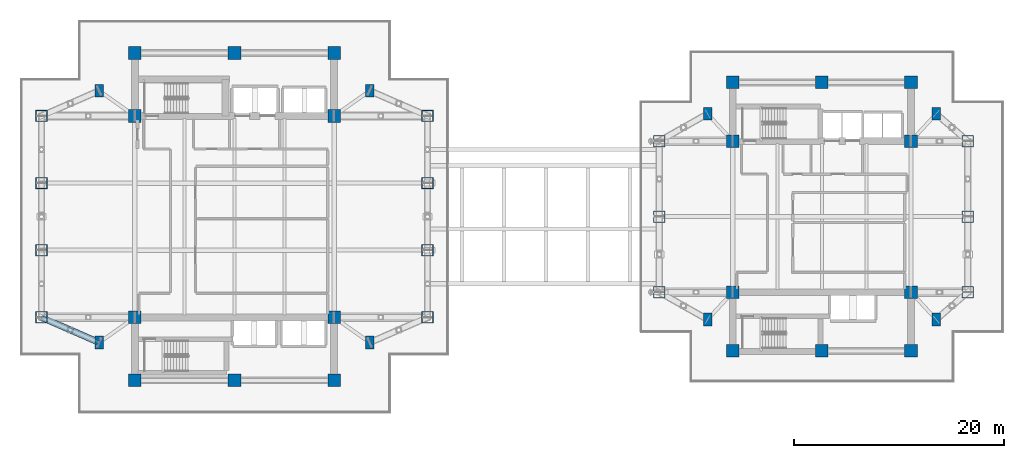
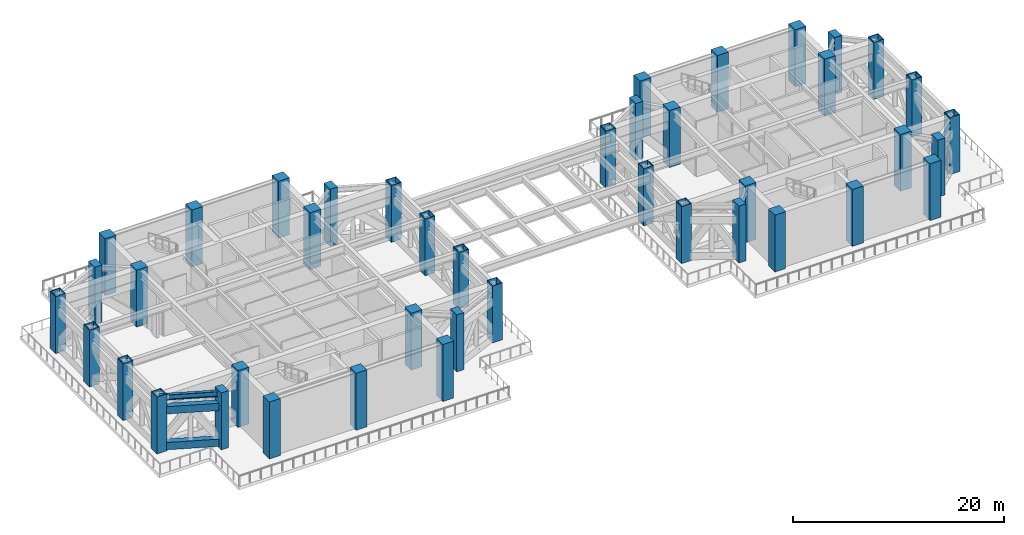
# One storey, part 1 of 21: 42 columns, 2 members, 1 beam.
"""IFC4 building model written with IfcOpenShell, lengths in metres."""

from ifc_helpers import new_model, si_unit, direction, frame, origin, origin_2d, place, context, subcontext, project, spatial, rectangle, hollow_rectangle, i_section, extrude, material, material_profile, profile_set, type_object, element, save


model = new_model("IFC4")

# Units and contexts
model_context = context("Model", 3, precision=1e-05, world=origin(), true_north=direction((0.0, 1.0)))
body_context = subcontext(model_context, "Body", "Model", "MODEL_VIEW")
ifc_project = project(units=[si_unit("LENGTHUNIT", "METRE"), si_unit("AREAUNIT", "SQUARE_METRE"), si_unit("VOLUMEUNIT", "CUBIC_METRE"), si_unit("PLANEANGLEUNIT", "RADIAN"), si_unit("MASSUNIT", "GRAM", prefix="KILO")], contexts=[model_context])

# Site, building, storey
site_placement = place(None, origin())
site = spatial("IfcSite", under=ifc_project, at=site_placement, CompositionType="ELEMENT")
building_placement = place(site_placement, origin())
building = spatial("IfcBuilding", under=site, at=building_placement, Name="Mirazonda Arch Towers", CompositionType="ELEMENT")
storey_placement = place(building_placement, frame((0.0, 0.0, 81.800048828125)))
storey = spatial("IfcBuildingStorey", under=building, at=storey_placement, Name="L23", CompositionType="ELEMENT", Elevation=81.800048828125)

# Columns
ifc_material_1 = material(Name="Concrete C50/60", Category="concrete")
ifc_material_profile_1 = material_profile(ifc_material_1, rectangle(XDim=1.199951171875, YDim=1.199951171875, at=origin_2d()), Name="RC1200x1200")
ifc_profile_set_1 = profile_set([ifc_material_profile_1], Name="Concrete C50/60")
column_type_1 = type_object("IfcColumnType", Name="COL-INT-RC1200x1200", PredefinedType="COLUMN", material=ifc_profile_set_1)
for number, where, z_axis, x_axis, name in (
    (1, (11.0, 12.39990234375, 0.0), (0.0, 0.0, 1.0), (1.0, 0.0, 0.0), "L23 T1 Core Column 01"),
    (2, (20.5, 12.39990234375, 0.0), (0.0, 0.0, 1.0), (1.0, 0.0, 0.0), "L23 T1 Core Column 02"),
    (3, (30.0, 12.39990234375, 0.0), (0.0, 0.0, 1.0), (1.0, 0.0, 0.0), "L23 T1 Core Column 03"),
    (4, (11.0, 18.39990234375, 0.0), (0.0, 0.0, 1.0), (1.0, 0.0, 0.0), "L23 T1 Core Column 04"),
    (5, (30.0, 18.39990234375, 0.0), (0.0, 0.0, 1.0), (1.0, 0.0, 0.0), "L23 T1 Core Column 05"),
    (6, (11.0, 37.60009765625, 0.0), (0.0, 0.0, 1.0), (1.0, 0.0, 0.0), "L23 T1 Core Column 06"),
    (7, (30.0, 37.60009765625, 0.0), (0.0, 0.0, 1.0), (1.0, 0.0, 0.0), "L23 T1 Core Column 07"),
    (8, (11.0, 43.60009765625, 0.0), (0.0, 0.0, 1.0), (1.0, 0.0, 0.0), "L23 T1 Core Column 08"),
    (9, (20.5, 43.60009765625, 0.0), (0.0, 0.0, 1.0), (1.0, 0.0, 0.0), "L23 T1 Core Column 09"),
    (10, (30.0, 43.60009765625, 0.0), (0.0, 0.0, 1.0), (1.0, 0.0, 0.0), "L23 T1 Core Column 10"),
    (11, (68.0, 15.199951171875, 0.0), (0.0, 0.0, 1.0), (1.0, 0.0, 0.0), "L23 T2 Core Column 01"),
    (12, (76.5, 15.199951171875, 0.0), (0.0, 0.0, 1.0), (1.0, 0.0, 0.0), "L23 T2 Core Column 02"),
    (13, (85.0, 15.199951171875, 0.0), (0.0, 0.0, 1.0), (1.0, 0.0, 0.0), "L23 T2 Core Column 03"),
    (14, (68.0, 20.800048828125, 0.0), (0.0, 0.0, 1.0), (1.0, 0.0, 0.0), "L23 T2 Core Column 04"),
    (15, (85.0, 20.800048828125, 0.0), (0.0, 0.0, 1.0), (1.0, 0.0, 0.0), "L23 T2 Core Column 05"),
    (16, (68.0, 35.199951171875, 0.0), (0.0, 0.0, 1.0), (1.0, 0.0, 0.0), "L23 T2 Core Column 06"),
    (17, (85.0, 35.199951171875, 0.0), (0.0, 0.0, 1.0), (1.0, 0.0, 0.0), "L23 T2 Core Column 07"),
    (18, (68.0, 40.800048828125, 0.0), (0.0, 0.0, 1.0), (1.0, 0.0, 0.0), "L23 T2 Core Column 08"),
    (19, (76.5, 40.800048828125, 0.0), (0.0, 0.0, 1.0), (1.0, 0.0, 0.0), "L23 T2 Core Column 09"),
    (20, (85.0, 40.800048828125, 0.0), (0.0, 0.0, 1.0), (1.0, 0.0, 0.0), "L23 T2 Core Column 10"),
):
    element("IfcColumn", number, at=place(storey_placement, frame(where, z_axis=z_axis, x_axis=x_axis)), inside=storey, type_object=column_type_1, Name=name, PredefinedType="COLUMN", context=body_context, shape_type="SweptSolid", body=[
        extrude(rectangle(XDim=1.199951171875, YDim=1.199951171875, at=origin_2d()), origin(), (0.0, 0.0, 1.0), 6.599853515625),
    ])
ifc_material_2 = material(Name="Steel ASTM A572 Grade 50", Category="steel")
ifc_material_profile_2 = material_profile(ifc_material_2, hollow_rectangle(XDim=1.10009765625, YDim=1.10009765625, WallThickness=0.06005859375, at=origin_2d()), Name="BOX1100x1100x60")
ifc_profile_set_2 = profile_set([ifc_material_profile_2], Name="Steel ASTM A572 Grade 50")
column_type_2 = type_object("IfcColumnType", Name="MCOL-EXT-BOX1100x1100x60", PredefinedType="COLUMN", material=ifc_profile_set_2)
for number, where, z_axis, x_axis, name in (
    (21, (2.10009765625, 18.39990234375, 0.0), (0.0, 0.0, 1.0), (1.0, 0.0, 0.0), "L23 T1 Composite Mega-Column 01"),
    (22, (2.10009765625, 24.800048828125, 0.0), (0.0, 0.0, 1.0), (1.0, 0.0, 0.0), "L23 T1 Composite Mega-Column 02"),
    (23, (2.10009765625, 31.199951171875, 0.0), (0.0, 0.0, 1.0), (1.0, 0.0, 0.0), "L23 T1 Composite Mega-Column 03"),
    (24, (2.10009765625, 37.60009765625, 0.0), (0.0, 0.0, 1.0), (1.0, 0.0, 0.0), "L23 T1 Composite Mega-Column 04"),
    (25, (38.89990234375, 18.39990234375, 0.0), (0.0, 0.0, 1.0), (1.0, 0.0, 0.0), "L23 T1 Composite Mega-Column 05"),
    (26, (38.89990234375, 24.800048828125, 0.0), (0.0, 0.0, 1.0), (1.0, 0.0, 0.0), "L23 T1 Composite Mega-Column 06"),
    (27, (38.89990234375, 31.199951171875, 0.0), (0.0, 0.0, 1.0), (1.0, 0.0, 0.0), "L23 T1 Composite Mega-Column 07"),
    (28, (38.89990234375, 37.60009765625, 0.0), (0.0, 0.0, 1.0), (1.0, 0.0, 0.0), "L23 T1 Composite Mega-Column 08"),
    (29, (61.0, 20.800048828125, 0.0), (0.0, 0.0, 1.0), (1.0, 0.0, 0.0), "L23 T2 Composite Mega-Column 01"),
    (30, (61.0, 28.0, 0.0), (0.0, 0.0, 1.0), (1.0, 0.0, 0.0), "L23 T2 Composite Mega-Column 02"),
    (31, (61.0, 35.199951171875, 0.0), (0.0, 0.0, 1.0), (1.0, 0.0, 0.0), "L23 T2 Composite Mega-Column 03"),
    (32, (90.39990234375, 20.800048828125, 0.0), (0.0, 0.0, 1.0), (1.0, 0.0, 0.0), "L23 T2 Composite Mega-Column 04"),
    (33, (90.39990234375, 28.0, 0.0), (0.0, 0.0, 1.0), (1.0, 0.0, 0.0), "L23 T2 Composite Mega-Column 05"),
    (34, (90.39990234375, 35.199951171875, 0.0), (0.0, 0.0, 1.0), (1.0, 0.0, 0.0), "L23 T2 Composite Mega-Column 06"),
):
    element("IfcColumn", number, at=place(storey_placement, frame(where, z_axis=z_axis, x_axis=x_axis)), inside=storey, type_object=column_type_2, Name=name, PredefinedType="COLUMN", context=body_context, shape_type="SweptSolid", body=[
        extrude(hollow_rectangle(XDim=1.10009765625, YDim=1.10009765625, WallThickness=0.06005859375, at=origin_2d()), origin(), (0.0, 0.0, 1.0), 6.599853515625),
    ])
ifc_material_3 = material(Name="Concrete C60/75", Category="concrete")
ifc_material_profile_3 = material_profile(ifc_material_3, rectangle(XDim=0.800048828125, YDim=1.199951171875, at=origin_2d()), Name="RC1200x800")
ifc_profile_set_3 = profile_set([ifc_material_profile_3], Name="Concrete C60/75")
column_type_3 = type_object("IfcColumnType", Name="PIL-EXT-RC1200x800", PredefinedType="PILASTER", material=ifc_profile_set_3)
for number, where, z_axis, x_axis, name in (
    (35, (7.60009765625, 16.0, 0.0), (0.0, 0.0, 1.0), (1.0, 0.0, 0.0), "L23 T1 Corner Pilaster 01"),
    (36, (33.39990234375, 16.0, 0.0), (0.0, 0.0, 1.0), (1.0, 0.0, 0.0), "L23 T1 Corner Pilaster 02"),
    (37, (7.60009765625, 40.0, 0.0), (0.0, 0.0, 1.0), (1.0, 0.0, 0.0), "L23 T1 Corner Pilaster 03"),
    (38, (33.39990234375, 40.0, 0.0), (0.0, 0.0, 1.0), (1.0, 0.0, 0.0), "L23 T1 Corner Pilaster 04"),
    (39, (65.60009765625, 18.199951171875, 0.0), (0.0, 0.0, 1.0), (1.0, 0.0, 0.0), "L23 T2 Corner Pilaster 01"),
    (40, (87.39990234375, 18.199951171875, 0.0), (0.0, 0.0, 1.0), (1.0, 0.0, 0.0), "L23 T2 Corner Pilaster 02"),
    (41, (65.60009765625, 37.800048828125, 0.0), (0.0, 0.0, 1.0), (1.0, 0.0, 0.0), "L23 T2 Corner Pilaster 03"),
    (42, (87.39990234375, 37.800048828125, 0.0), (0.0, 0.0, 1.0), (1.0, 0.0, 0.0), "L23 T2 Corner Pilaster 04"),
):
    element("IfcColumn", number, at=place(storey_placement, frame(where, z_axis=z_axis, x_axis=x_axis)), inside=storey, type_object=column_type_3, Name=name, PredefinedType="PILASTER", context=body_context, shape_type="SweptSolid", body=[
        extrude(rectangle(XDim=0.800048828125, YDim=1.199951171875, at=origin_2d()), origin(), (0.0, 0.0, 1.0), 6.599853515625),
    ])

# Beam
ifc_material_4 = material(Name="Steel ASTM A992 Grade 50", Category="steel")
ifc_material_profile_4 = material_profile(ifc_material_4, i_section(OverallWidth=0.324951171875, OverallDepth=0.615966796875, WebThickness=0.013916015625, FlangeThickness=0.021484375, at=origin_2d()), Name="W24X117")
ifc_profile_set_4 = profile_set([ifc_material_profile_4], Name="Steel ASTM A992 Grade 50")
beam_type = type_object("IfcBeamType", Name="BM-INT-W24X117", PredefinedType="BEAM", material=ifc_profile_set_4)
beam_placement = place(storey_placement, frame((7.60009765625, 16.0, 6.072021484375), z_axis=(-0.916545343703, 0.399930785183, 0.0), x_axis=(-0.399930785183, -0.916545343703, 0.0)))
element("IfcBeam", 43, at=beam_placement, inside=storey, type_object=beam_type, Name="L23 Floor Beam BM-T1-L23-PL-SW2", PredefinedType="BEAM", context=body_context, shape_type="SweptSolid", body=[
    extrude(i_section(OverallWidth=0.324951171875, OverallDepth=0.615966796875, WebThickness=0.013916015625, FlangeThickness=0.021484375, at=origin_2d()), origin(), (0.0, 0.0, 1.0), 6.000732421875),
])

# Members
ifc_material_profile_5 = material_profile(ifc_material_2, hollow_rectangle(XDim=0.60009765625, YDim=0.85009765625, WallThickness=0.048095703125, at=origin_2d()), Name="BELTCHORD850x600x48")
ifc_profile_set_5 = profile_set([ifc_material_profile_5], Name="Steel ASTM A572 Grade 50")
member_type = type_object("IfcMemberType", Name="MBR-EXT-BELTCHORD850x600x48", PredefinedType="CHORD", material=ifc_profile_set_5)
for number, where, z_axis, x_axis, name in (
    (44, (2.10009765625, 18.39990234375, 0.550048828125), (0.916545343703, -0.399930785183, 0.0), (0.399930785183, 0.916545343703, 0.0), "L23 T1 Wind-Portal Belt Chord BC07"),
    (45, (2.10009765625, 18.39990234375, 4.699951171875), (0.916545343703, -0.399930785183, 0.0), (0.399930785183, 0.916545343703, 0.0), "L23 T1 Wind-Portal Belt Chord TC07"),
):
    element("IfcMember", number, at=place(storey_placement, frame(where, z_axis=z_axis, x_axis=x_axis)), inside=storey, type_object=member_type, Name=name, PredefinedType="CHORD", context=body_context, shape_type="SweptSolid", body=[
        extrude(hollow_rectangle(XDim=0.60009765625, YDim=0.85009765625, WallThickness=0.048095703125, at=origin_2d()), origin(), (0.0, 0.0, 1.0), 6.000732421875),
    ])

save(model, "model.ifc")
